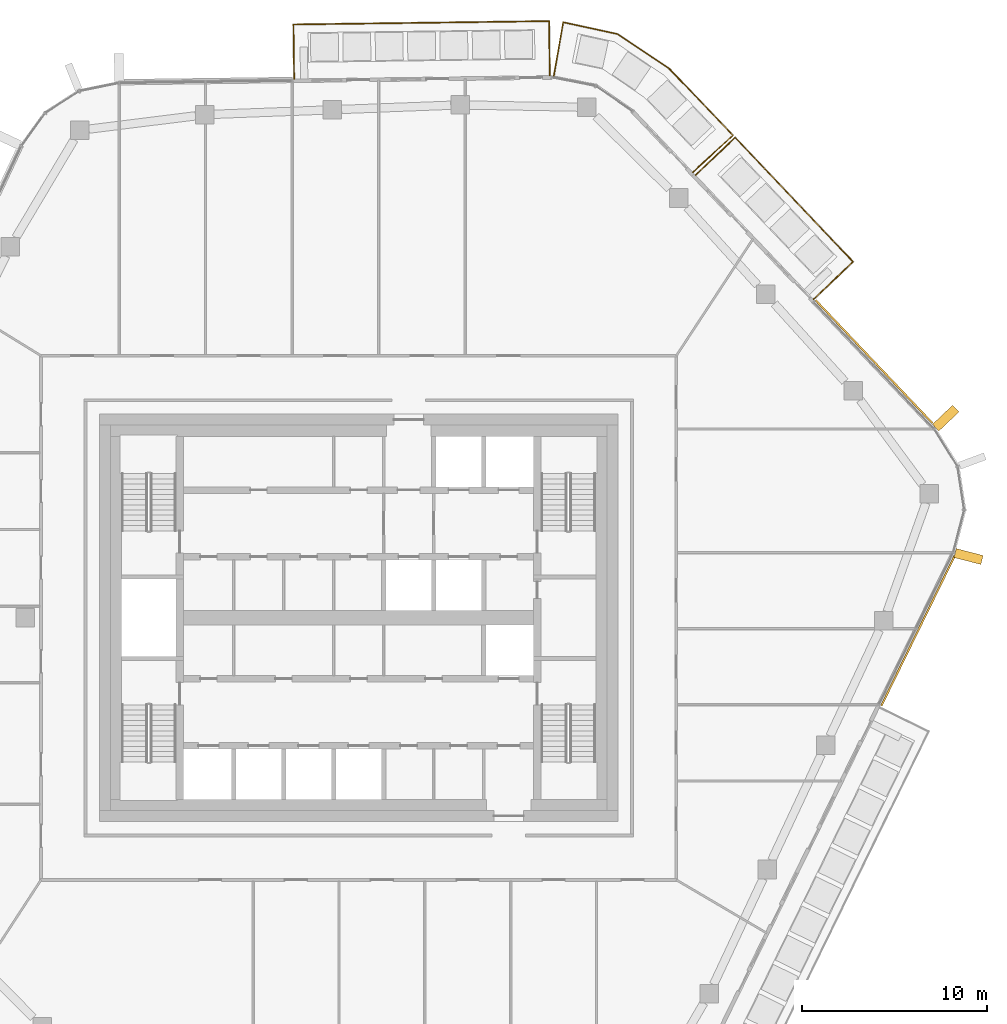
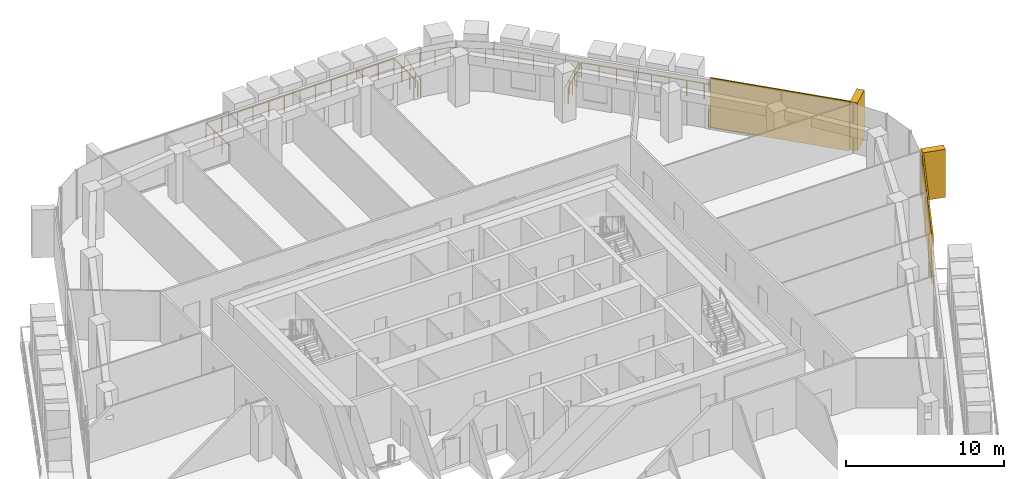
# One storey, part 23 of 23: 4 coverings, 3 railings, 3 elements without a shape of their own.
"""IFC4 building model written with IfcOpenShell, lengths in metres."""

from ifc_helpers import new_model, si_unit, direction, frame, origin, origin_2d, place, context, subcontext, project, spatial, rectangle, circle, extrude, material, layer, layer_set, material_profile, profile_set, type_object, element, aggregate, save


model = new_model("IFC4")

# Units and contexts
model_context = context("Model", 3, precision=1e-05, world=origin(), true_north=direction((0.0, 1.0)))
body_context = subcontext(model_context, "Body", "Model", "MODEL_VIEW")
ifc_project = project(units=[si_unit("LENGTHUNIT", "METRE"), si_unit("AREAUNIT", "SQUARE_METRE"), si_unit("VOLUMEUNIT", "CUBIC_METRE"), si_unit("PLANEANGLEUNIT", "RADIAN"), si_unit("MASSUNIT", "GRAM", prefix="KILO")], contexts=[model_context])

# Site, building, storey
site_placement = place(None, origin())
site = spatial("IfcSite", under=ifc_project, at=site_placement, CompositionType="ELEMENT")
building_placement = place(site_placement, origin())
building = spatial("IfcBuilding", under=site, at=building_placement, Name="Dongbaek Canopy Tower", CompositionType="ELEMENT")
storey_placement = place(building_placement, frame((0.0, 0.0, 336.199951171875)))
storey = spatial("IfcBuildingStorey", under=building, at=storey_placement, Name="L72", CompositionType="ELEMENT", Elevation=336.199951171875)

# Railings
ifc_material_1 = material(Name="Stainless steel", Category="steel")
railing_type = type_object("IfcRailingType", Name="Balcony balustrade 1200", PredefinedType="BALUSTRADE", material=ifc_material_1)
railing_1_placement = place(storey_placement, frame((24.560302734375, 17.197265625, 0.0)))
element("IfcRailing", 1, at=railing_1_placement, inside=storey, type_object=railing_type, Name="Balcony guard L72 1", PredefinedType="BALUSTRADE", context=body_context, shape_type="SweptSolid", body=[
    extrude(circle(Radius=0.02392578125, at=origin_2d()), frame((0.0, 0.0, 1.17578125), z_axis=(0.724937232647, 0.688814930676, 0.0), x_axis=(-0.688814930676, 0.724937232647, 0.0)), (0.0, 0.0, 1.0), 2.93994140625),
    extrude(circle(Radius=0.02392578125, at=origin_2d()), frame((2.13134765625, 2.025146484375, 1.17578125), z_axis=(-0.688813309185, 0.724938773338, 0.0), x_axis=(-0.724938773338, -0.688813309185, 0.0)), (0.0, 0.0, 1.0), 9.2451171875),
    extrude(circle(Radius=0.02392578125, at=origin_2d()), frame((-4.23681640625, 8.727294921875, 1.17578125), z_axis=(-0.724937232647, -0.688814930676, 0.0), x_axis=(0.688814930676, -0.724937232647, 0.0)), (0.0, 0.0, 1.0), 2.93994140625),
    extrude(circle(Radius=0.02099609375, at=origin_2d()), origin(), (0.0, 0.0, 1.0), 1.15185546875),
    extrude(circle(Radius=0.02099609375, at=origin_2d()), frame((0.71044921875, 0.675048828125, 0.0)), (0.0, 0.0, 1.0), 1.15185546875),
    extrude(circle(Radius=0.02099609375, at=origin_2d()), frame((1.4208984375, 1.35009765625, 0.0)), (0.0, 0.0, 1.0), 1.15185546875),
    extrude(circle(Radius=0.02099609375, at=origin_2d()), frame((2.13134765625, 2.025146484375, 0.0)), (0.0, 0.0, 1.0), 1.15185546875),
    extrude(circle(Radius=0.02099609375, at=origin_2d()), frame((1.33544921875, 2.86279296875, 0.0)), (0.0, 0.0, 1.0), 1.15185546875),
    extrude(circle(Radius=0.02099609375, at=origin_2d()), frame((0.539306640625, 3.70068359375, 0.0)), (0.0, 0.0, 1.0), 1.15185546875),
    extrude(circle(Radius=0.02099609375, at=origin_2d()), frame((-0.2568359375, 4.53857421875, 0.0)), (0.0, 0.0, 1.0), 1.15185546875),
    extrude(circle(Radius=0.02099609375, at=origin_2d()), frame((-1.052734375, 5.376220703125, 0.0)), (0.0, 0.0, 1.0), 1.15185546875),
    extrude(circle(Radius=0.02099609375, at=origin_2d()), frame((-1.8486328125, 6.2138671875, 0.0)), (0.0, 0.0, 1.0), 1.15185546875),
    extrude(circle(Radius=0.02099609375, at=origin_2d()), frame((-2.644775390625, 7.0517578125, 0.0)), (0.0, 0.0, 1.0), 1.15185546875),
    extrude(circle(Radius=0.02099609375, at=origin_2d()), frame((-3.44091796875, 7.8896484375, 0.0)), (0.0, 0.0, 1.0), 1.15185546875),
    extrude(circle(Radius=0.02099609375, at=origin_2d()), frame((-4.23681640625, 8.727294921875, 0.0)), (0.0, 0.0, 1.0), 1.15185546875),
    extrude(circle(Radius=0.02099609375, at=origin_2d()), frame((-4.947265625, 8.05224609375, 0.0)), (0.0, 0.0, 1.0), 1.15185546875),
    extrude(circle(Radius=0.02099609375, at=origin_2d()), frame((-5.65771484375, 7.377197265625, 0.0)), (0.0, 0.0, 1.0), 1.15185546875),
    extrude(circle(Radius=0.02099609375, at=origin_2d()), frame((-6.3681640625, 6.7021484375, 0.0)), (0.0, 0.0, 1.0), 1.15185546875),
])
railing_2_placement = place(storey_placement, frame((18.04052734375, 24.058837890625, 0.0)))
element("IfcRailing", 2, at=railing_2_placement, inside=storey, type_object=railing_type, Name="Balcony guard L72 6", PredefinedType="BALUSTRADE", context=body_context, shape_type="SweptSolid", body=[
    extrude(circle(Radius=0.02392578125, at=origin_2d()), frame((0.0, 0.0, 1.17578125), z_axis=(0.738861014798, 0.673857849114, 0.0), x_axis=(-0.673857849114, 0.738861014798, 0.0)), (0.0, 0.0, 1.0), 2.94091796875),
    extrude(circle(Radius=0.02392578125, at=origin_2d()), frame((2.1728515625, 1.981689453125, 1.17578125), z_axis=(-0.691085861423, 0.722772669753, 0.0), x_axis=(-0.722772669753, -0.691085861423, 0.0)), (0.0, 0.0, 1.0), 4.985107421875),
    extrude(circle(Radius=0.02392578125, at=origin_2d()), frame((-1.272216796875, 5.584716796875, 1.17578125), z_axis=(-0.830369112304, 0.557213726797, 0.0), x_axis=(-0.557213726797, -0.830369112304, 0.0)), (0.0, 0.0, 1.0), 3.35888671875),
    extrude(circle(Radius=0.02392578125, at=origin_2d()), frame((-4.061279296875, 7.456298828125, 1.17578125), z_axis=(-0.977272986086, 0.211984694415, 0.0), x_axis=(-0.211984694415, -0.977272986086, 0.0)), (0.0, 0.0, 1.0), 3.007080078125),
    extrude(circle(Radius=0.02392578125, at=origin_2d()), frame((-7.0, 8.09375, 1.17578125), z_axis=(-0.171610958794, -0.985164797799, 0.0), x_axis=(0.985164797799, -0.171610958794, 0.0)), (0.0, 0.0, 1.0), 2.940673828125),
    extrude(circle(Radius=0.02099609375, at=origin_2d()), origin(), (0.0, 0.0, 1.0), 1.15185546875),
    extrude(circle(Radius=0.02099609375, at=origin_2d()), frame((0.724365234375, 0.66064453125, 0.0)), (0.0, 0.0, 1.0), 1.15185546875),
    extrude(circle(Radius=0.02099609375, at=origin_2d()), frame((1.448486328125, 1.321044921875, 0.0)), (0.0, 0.0, 1.0), 1.15185546875),
    extrude(circle(Radius=0.02099609375, at=origin_2d()), frame((2.1728515625, 1.981689453125, 0.0)), (0.0, 0.0, 1.0), 1.15185546875),
    extrude(circle(Radius=0.02099609375, at=origin_2d()), frame((1.48388671875, 2.702392578125, 0.0)), (0.0, 0.0, 1.0), 1.15185546875),
    extrude(circle(Radius=0.02099609375, at=origin_2d()), frame((0.794921875, 3.4228515625, 0.0)), (0.0, 0.0, 1.0), 1.15185546875),
    extrude(circle(Radius=0.02099609375, at=origin_2d()), frame((0.105712890625, 4.1435546875, 0.0)), (0.0, 0.0, 1.0), 1.15185546875),
    extrude(circle(Radius=0.02099609375, at=origin_2d()), frame((-0.583251953125, 4.864013671875, 0.0)), (0.0, 0.0, 1.0), 1.15185546875),
    extrude(circle(Radius=0.02099609375, at=origin_2d()), frame((-1.272216796875, 5.584716796875, 0.0)), (0.0, 0.0, 1.0), 1.15185546875),
    extrude(circle(Radius=0.02099609375, at=origin_2d()), frame((-2.201904296875, 6.20849609375, 0.0)), (0.0, 0.0, 1.0), 1.15185546875),
    extrude(circle(Radius=0.02099609375, at=origin_2d()), frame((-3.131591796875, 6.83251953125, 0.0)), (0.0, 0.0, 1.0), 1.15185546875),
    extrude(circle(Radius=0.02099609375, at=origin_2d()), frame((-4.061279296875, 7.456298828125, 0.0)), (0.0, 0.0, 1.0), 1.15185546875),
    extrude(circle(Radius=0.02099609375, at=origin_2d()), frame((-5.040771484375, 7.668701171875, 0.0)), (0.0, 0.0, 1.0), 1.15185546875),
    extrude(circle(Radius=0.02099609375, at=origin_2d()), frame((-6.0205078125, 7.88134765625, 0.0)), (0.0, 0.0, 1.0), 1.15185546875),
    extrude(circle(Radius=0.02099609375, at=origin_2d()), frame((-7.0, 8.09375, 0.0)), (0.0, 0.0, 1.0), 1.15185546875),
    extrude(circle(Radius=0.02099609375, at=origin_2d()), frame((-7.168212890625, 7.128173828125, 0.0)), (0.0, 0.0, 1.0), 1.15185546875),
    extrude(circle(Radius=0.02099609375, at=origin_2d()), frame((-7.33642578125, 6.162353515625, 0.0)), (0.0, 0.0, 1.0), 1.15185546875),
    extrude(circle(Radius=0.02099609375, at=origin_2d()), frame((-7.504638671875, 5.19677734375, 0.0)), (0.0, 0.0, 1.0), 1.15185546875),
])
railing_3_placement = place(storey_placement, frame((10.31787109375, 29.275146484375, 0.0)))
element("IfcRailing", 3, at=railing_3_placement, inside=storey, type_object=railing_type, Name="Balcony guard L72 2", PredefinedType="BALUSTRADE", context=body_context, shape_type="SweptSolid", body=[
    extrude(circle(Radius=0.02392578125, at=origin_2d()), frame((0.0, 0.0, 1.17578125), z_axis=(-0.013120704205, 0.999913919856, 0.0), x_axis=(-0.999913919856, -0.013120704205, 0.0)), (0.0, 0.0, 1.0), 2.93994140625),
    extrude(circle(Radius=0.02392578125, at=origin_2d()), frame((-0.03857421875, 2.939697265625, 1.17578125), z_axis=(-0.999913421648, -0.013158617265, 0.0), x_axis=(0.013158617265, -0.999913421648, 0.0)), (0.0, 0.0, 1.0), 13.803955078125),
    extrude(circle(Radius=0.02392578125, at=origin_2d()), frame((-13.84130859375, 2.758056640625, 1.17578125), z_axis=(0.013203732205, -0.999912826928, 0.0), x_axis=(0.999912826928, 0.013203732205, 0.0)), (0.0, 0.0, 1.0), 2.93994140625),
    extrude(circle(Radius=0.02099609375, at=origin_2d()), origin(), (0.0, 0.0, 1.0), 1.15185546875),
    extrude(circle(Radius=0.02099609375, at=origin_2d()), frame((-0.012939453125, 0.97998046875, 0.0)), (0.0, 0.0, 1.0), 1.15185546875),
    extrude(circle(Radius=0.02099609375, at=origin_2d()), frame((-0.025634765625, 1.959716796875, 0.0)), (0.0, 0.0, 1.0), 1.15185546875),
    extrude(circle(Radius=0.02099609375, at=origin_2d()), frame((-0.03857421875, 2.939697265625, 0.0)), (0.0, 0.0, 1.0), 1.15185546875),
    extrude(circle(Radius=0.02099609375, at=origin_2d()), frame((-1.188720703125, 2.924560546875, 0.0)), (0.0, 0.0, 1.0), 1.15185546875),
    extrude(circle(Radius=0.02099609375, at=origin_2d()), frame((-2.339111328125, 2.909423828125, 0.0)), (0.0, 0.0, 1.0), 1.15185546875),
    extrude(circle(Radius=0.02099609375, at=origin_2d()), frame((-3.4892578125, 2.894287109375, 0.0)), (0.0, 0.0, 1.0), 1.15185546875),
    extrude(circle(Radius=0.02099609375, at=origin_2d()), frame((-4.639404296875, 2.879150390625, 0.0)), (0.0, 0.0, 1.0), 1.15185546875),
    extrude(circle(Radius=0.02099609375, at=origin_2d()), frame((-5.789794921875, 2.864013671875, 0.0)), (0.0, 0.0, 1.0), 1.15185546875),
    extrude(circle(Radius=0.02099609375, at=origin_2d()), frame((-6.93994140625, 2.848876953125, 0.0)), (0.0, 0.0, 1.0), 1.15185546875),
    extrude(circle(Radius=0.02099609375, at=origin_2d()), frame((-8.090087890625, 2.833740234375, 0.0)), (0.0, 0.0, 1.0), 1.15185546875),
    extrude(circle(Radius=0.02099609375, at=origin_2d()), frame((-9.240478515625, 2.818603515625, 0.0)), (0.0, 0.0, 1.0), 1.15185546875),
    extrude(circle(Radius=0.02099609375, at=origin_2d()), frame((-10.390625, 2.803466796875, 0.0)), (0.0, 0.0, 1.0), 1.15185546875),
    extrude(circle(Radius=0.02099609375, at=origin_2d()), frame((-11.540771484375, 2.788330078125, 0.0)), (0.0, 0.0, 1.0), 1.15185546875),
    extrude(circle(Radius=0.02099609375, at=origin_2d()), frame((-12.691162109375, 2.773193359375, 0.0)), (0.0, 0.0, 1.0), 1.15185546875),
    extrude(circle(Radius=0.02099609375, at=origin_2d()), frame((-13.84130859375, 2.758056640625, 0.0)), (0.0, 0.0, 1.0), 1.15185546875),
    extrude(circle(Radius=0.02099609375, at=origin_2d()), frame((-13.828369140625, 1.778076171875, 0.0)), (0.0, 0.0, 1.0), 1.15185546875),
    extrude(circle(Radius=0.02099609375, at=origin_2d()), frame((-13.8154296875, 0.79833984375, 0.0)), (0.0, 0.0, 1.0), 1.15185546875),
    extrude(circle(Radius=0.02099609375, at=origin_2d()), frame((-13.802490234375, -0.181640625, 0.0)), (0.0, 0.0, 1.0), 1.15185546875),
])

# Curtain wall, covering
ifc_material_2 = material(Name="Aluminium 6063-T6 pale anodised", Category="aluminium")
ifc_layer_1 = layer(ifc_material_2, 0.199951171875)
ifc_layer_set_1 = layer_set([ifc_layer_1], Name="CW-1 unitised tower curtain wall")
curtain_wall_type = type_object("IfcCurtainWallType", Name="CW-1 unitised tower curtain wall", PredefinedType="NOTDEFINED", material=ifc_layer_set_1)
curtain_wall_1_placement = place(storey_placement, origin())
curtain_wall_1 = element("IfcCurtainWall", 4, at=curtain_wall_1_placement, inside=storey, type_object=curtain_wall_type, Name="CW-1 curtain wall F5.1", PredefinedType="NOTDEFINED")
ifc_material_3 = material(Name="Perforated aluminium 6063-T6 pale metal screen", Category="aluminium")
ifc_layer_2 = layer(ifc_material_3, 0.10009765625)
ifc_layer_set_2 = layer_set([ifc_layer_2], Name="Facet screen FS1 100 pale metal")
covering_type_1 = type_object("IfcCoveringType", Name="Facet screen FS1 100 pale metal", PredefinedType="CLADDING", material=ifc_layer_set_2)
covering_1_placement = place(storey_placement, frame((30.197265625, -0.704833984375, 0.0), z_axis=(0.0, 0.0, 1.0), x_axis=(0.439337207238, 0.898322224114, 0.0)))
covering_1 = element("IfcCovering", 5, at=covering_1_placement, type_object=covering_type_1, Name="Facet screen L72 F5", PredefinedType="CLADDING", context=body_context, shape_type="SweptSolid", body=[
    extrude(rectangle(XDim=9.029296875, YDim=0.10009765625, at=origin_2d()), origin(), (0.0, 0.0, 1.0), 3.820068359375),
])
aggregate(curtain_wall_1, [covering_1])

curtain_wall_2_placement = place(storey_placement, origin())
curtain_wall_2 = element("IfcCurtainWall", 6, at=curtain_wall_2_placement, inside=storey, type_object=curtain_wall_type, Name="CW-1 curtain wall F0.1", PredefinedType="NOTDEFINED")
covering_2_placement = place(storey_placement, frame((27.825927734375, 13.8271484375, 0.0), z_axis=(0.0, 0.0, 1.0), x_axis=(-0.688812736467, 0.724939317516, 0.0)))
covering_2 = element("IfcCovering", 7, at=covering_2_placement, type_object=covering_type_1, Name="Facet screen L72 F0", PredefinedType="CLADDING", context=body_context, shape_type="SweptSolid", body=[
    extrude(rectangle(XDim=9.1650390625, YDim=0.10009765625, at=origin_2d()), origin(), (0.0, 0.0, 1.0), 3.820068359375),
])

curtain_wall_3_placement = place(storey_placement, origin())
curtain_wall_3 = element("IfcCurtainWall", 8, at=curtain_wall_3_placement, inside=storey, type_object=curtain_wall_type, Name="CW-1 curtain wall K0.1", PredefinedType="NOTDEFINED")
ifc_material_4 = material(Name="Aluminium 6063-T6 pale metal fin", Category="aluminium")
ifc_material_profile = material_profile(ifc_material_4, rectangle(XDim=1.5, YDim=0.5, at=origin_2d()), Name="Fin FN1 500 x 1500 pale metal")
ifc_profile_set = profile_set([ifc_material_profile], Name="Aluminium 6063-T6 pale metal fin")
covering_type_2 = type_object("IfcCoveringType", Name="Fin FN1 500 x 1500 pale metal", PredefinedType="CLADDING", material=ifc_profile_set)
covering_3_placement = place(storey_placement, frame((32.9248046875, 3.3095703125, 0.1201171875), z_axis=(0.0, 0.0, 1.0), x_axis=(0.96831359198, -0.249737437294, 0.0)))
covering_3 = element("IfcCovering", 9, at=covering_3_placement, type_object=covering_type_2, Name="Fin K0.1.1", PredefinedType="CLADDING", context=body_context, shape_type="SweptSolid", body=[
    extrude(rectangle(XDim=1.5, YDim=0.5, at=origin_2d()), origin(), (0.0, 0.0, 1.0), 3.699951171875),
])
aggregate(curtain_wall_3, [covering_3])

# Covering
covering_4_placement = place(storey_placement, frame((31.6923828125, 10.77978515625, 0.1201171875), z_axis=(0.0, 0.0, 1.0), x_axis=(0.724939653857, 0.688812382486, 0.0)))
covering_4 = element("IfcCovering", 10, at=covering_4_placement, type_object=covering_type_2, Name="Fin F0.1.1", PredefinedType="CLADDING", context=body_context, shape_type="SweptSolid", body=[
    extrude(rectangle(XDim=1.5, YDim=0.5, at=origin_2d()), origin(), (0.0, 0.0, 1.0), 3.699951171875),
])

aggregate(curtain_wall_2, [covering_4, covering_2])

save(model, "model.ifc")
